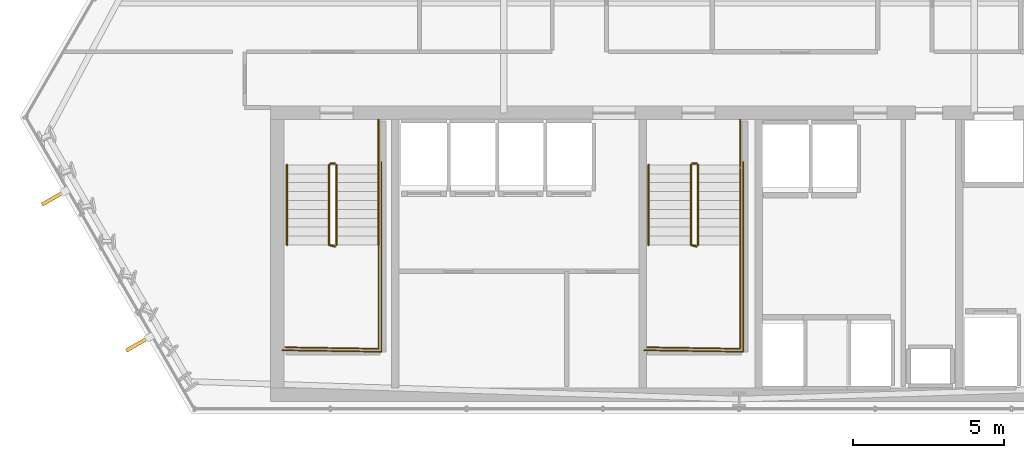
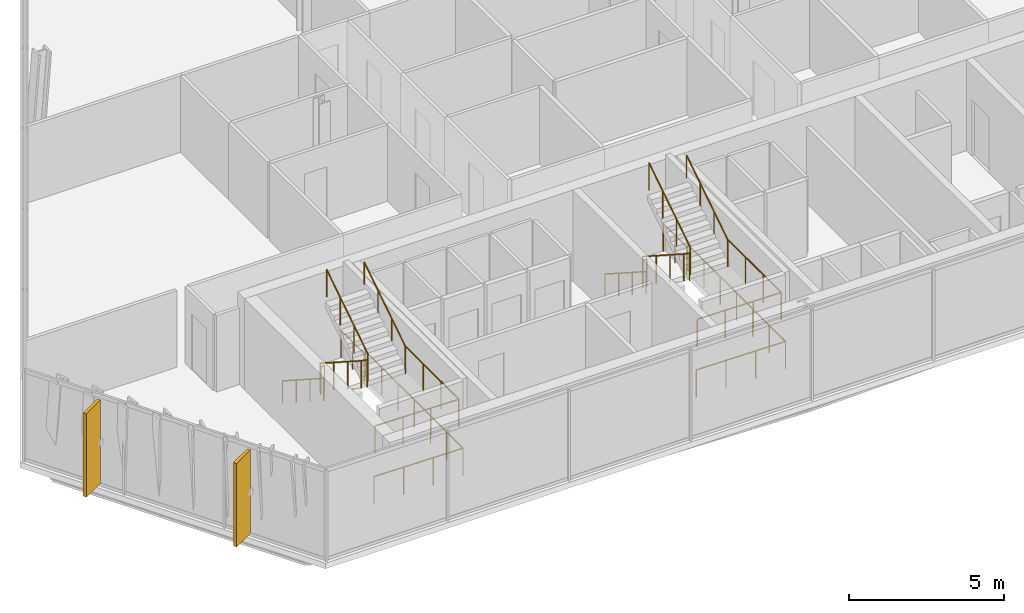
# One storey, part 29 of 32: 16 railings, 2 shading devices.
"""IFC4 building model written with IfcOpenShell, lengths in metres."""

from ifc_helpers import new_model, si_unit, direction, frame, origin, origin_2d, place, context, subcontext, project, spatial, rectangle, circle, extrude, material, layer, layer_set, type_object, element, save


model = new_model("IFC4")

# Units and contexts
model_context = context("Model", 3, precision=1e-05, world=origin(), true_north=direction((0.0, 1.0)))
body_context = subcontext(model_context, "Body", "Model", "MODEL_VIEW")
ifc_project = project(units=[si_unit("LENGTHUNIT", "METRE"), si_unit("AREAUNIT", "SQUARE_METRE"), si_unit("VOLUMEUNIT", "CUBIC_METRE"), si_unit("PLANEANGLEUNIT", "RADIAN"), si_unit("MASSUNIT", "GRAM", prefix="KILO")], contexts=[model_context])

# Site, building, storey
site_placement = place(None, origin())
site = spatial("IfcSite", under=ifc_project, at=site_placement, CompositionType="ELEMENT")
building_placement = place(site_placement, origin())
building = spatial("IfcBuilding", under=site, at=building_placement, Name="Ndaravel Arena Tower", CompositionType="ELEMENT")
storey_placement = place(building_placement, frame((0.0, 0.0, 157.39990234375)))
storey = spatial("IfcBuildingStorey", under=building, at=storey_placement, Name="L37", CompositionType="ELEMENT", Elevation=157.39990234375)

# Railings
ifc_material_1 = material(Name="Steel S355", Category="steel")
ifc_layer_1 = layer(ifc_material_1, 0.06005859375)
ifc_layer_set_1 = layer_set([ifc_layer_1], Name="Steel S355")
railing_type_1 = type_object("IfcRailingType", Name="RAIL-STAIR-GD1100", PredefinedType="GUARDRAIL", material=ifc_layer_set_1)
railing_1_placement = place(storey_placement, frame((28.39990234375, 13.25, 0.190185546875)))
element("IfcRailing", 1, at=railing_1_placement, inside=storey, type_object=railing_type_1, Name="L37 ST-1 stair guard 1", PredefinedType="GUARDRAIL", context=body_context, shape_type="SweptSolid", body=[
    extrude(circle(Radius=0.02392578125, at=origin_2d()), frame((0.0, 0.0, 1.076171875), z_axis=(0.0, -0.840723540582, 0.54146461409), x_axis=(1.0, 0.0, 0.0)), (0.0, 0.0, 1.0), 3.157958984375),
    extrude(circle(Radius=0.02392578125, at=origin_2d()), frame((0.0, -2.655029296875, 2.7861328125), z_axis=(0.967074537263, -0.25449329928, 0.0), x_axis=(0.25449329928, 0.967074537263, 0.0)), (0.0, 0.0, 1.0), 0.19677734375),
    extrude(circle(Radius=0.02099609375, at=origin_2d()), origin(), (0.0, 0.0, 1.0), 1.052001953125),
    extrude(circle(Radius=0.02099609375, at=origin_2d()), frame((0.0, -0.885009765625, 0.570068359375)), (0.0, 0.0, 1.0), 1.052001953125),
    extrude(circle(Radius=0.02099609375, at=origin_2d()), frame((0.0, -1.77001953125, 1.139892578125)), (0.0, 0.0, 1.0), 1.052001953125),
    extrude(circle(Radius=0.02099609375, at=origin_2d()), frame((0.0, -2.655029296875, 1.7099609375)), (0.0, 0.0, 1.0), 1.052001953125),
    extrude(circle(Radius=0.02099609375, at=origin_2d()), frame((0.190185546875, -2.705078125, 1.7099609375)), (0.0, 0.0, 1.0), 1.052001953125),
])
railing_2_placement = place(storey_placement, frame((30.0400390625, 10.594970703125, 1.900146484375)))
element("IfcRailing", 2, at=railing_2_placement, inside=storey, type_object=railing_type_1, Name="L37 ST-1 stair guard 2", PredefinedType="GUARDRAIL", context=body_context, shape_type="SweptSolid", body=[
    extrude(circle(Radius=0.02392578125, at=origin_2d()), frame((0.0, 0.0, 1.076171875), z_axis=(0.0, -1.0, 0.0), x_axis=(1.0, 0.0, 0.0)), (0.0, 0.0, 1.0), 3.445068359375),
    extrude(circle(Radius=0.02392578125, at=origin_2d()), frame((0.0, -3.445068359375, 1.076171875), z_axis=(-0.999868861343, 0.016194447071, 0.0), x_axis=(-0.016194447071, -0.999868861343, 0.0)), (0.0, 0.0, 1.0), 3.090576171875),
    extrude(circle(Radius=0.02099609375, at=origin_2d()), origin(), (0.0, 0.0, 1.0), 1.052001953125),
    extrude(circle(Radius=0.02099609375, at=origin_2d()), frame((0.0, -1.1484375, 0.0)), (0.0, 0.0, 1.0), 1.052001953125),
    extrude(circle(Radius=0.02099609375, at=origin_2d()), frame((0.0, -2.296630859375, 0.0)), (0.0, 0.0, 1.0), 1.052001953125),
    extrude(circle(Radius=0.02099609375, at=origin_2d()), frame((0.0, -3.445068359375, 0.0)), (0.0, 0.0, 1.0), 1.052001953125),
    extrude(circle(Radius=0.02099609375, at=origin_2d()), frame((-1.030029296875, -3.428466796875, 0.0)), (0.0, 0.0, 1.0), 1.052001953125),
    extrude(circle(Radius=0.02099609375, at=origin_2d()), frame((-2.06005859375, -3.41162109375, 0.0)), (0.0, 0.0, 1.0), 1.052001953125),
    extrude(circle(Radius=0.02099609375, at=origin_2d()), frame((-3.090087890625, -3.39501953125, 0.0)), (0.0, 0.0, 1.0), 1.052001953125),
])
railing_3_placement = place(storey_placement, frame((28.639892578125, 10.594970703125, 2.090087890625)))
element("IfcRailing", 3, at=railing_3_placement, inside=storey, type_object=railing_type_1, Name="L37 ST-1 stair guard 3", PredefinedType="GUARDRAIL", context=body_context, shape_type="SweptSolid", body=[
    extrude(circle(Radius=0.02392578125, at=origin_2d()), frame((0.0, 0.0, 1.076171875), z_axis=(0.0, 0.840723540582, 0.54146461409), x_axis=(-1.0, 0.0, 0.0)), (0.0, 0.0, 1.0), 3.157958984375),
    extrude(circle(Radius=0.02099609375, at=origin_2d()), origin(), (0.0, 0.0, 1.0), 1.052001953125),
    extrude(circle(Radius=0.02099609375, at=origin_2d()), frame((0.0, 0.885009765625, 0.570068359375)), (0.0, 0.0, 1.0), 1.052001953125),
    extrude(circle(Radius=0.02099609375, at=origin_2d()), frame((0.0, 1.77001953125, 1.139892578125)), (0.0, 0.0, 1.0), 1.052001953125),
    extrude(circle(Radius=0.02099609375, at=origin_2d()), frame((0.0, 2.655029296875, 1.7099609375)), (0.0, 0.0, 1.0), 1.052001953125),
])
railing_4_placement = place(storey_placement, frame((28.449951171875, 13.300048828125, 0.0)))
element("IfcRailing", 4, at=railing_4_placement, inside=storey, type_object=railing_type_1, Name="L37 ST-1 stair guard 4", PredefinedType="GUARDRAIL", context=body_context, shape_type="SweptSolid", body=[
    extrude(circle(Radius=0.02392578125, at=origin_2d()), frame((0.0, 0.0, 1.076171875), z_axis=(1.0, 0.0, 0.0), x_axis=(0.0, 1.0, 0.0)), (0.0, 0.0, 1.0), 0.14013671875),
    extrude(circle(Radius=0.02099609375, at=origin_2d()), origin(), (0.0, 0.0, 1.0), 1.052001953125),
    extrude(circle(Radius=0.02099609375, at=origin_2d()), frame((0.14013671875, 0.0, 0.0)), (0.0, 0.0, 1.0), 1.052001953125),
])
railing_5_placement = place(storey_placement, frame((30.0400390625, 14.75, 0.0)))
element("IfcRailing", 5, at=railing_5_placement, inside=storey, type_object=railing_type_1, Name="L37 ST-1 stair guard 5", PredefinedType="GUARDRAIL", context=body_context, shape_type="SweptSolid", body=[
    extrude(circle(Radius=0.02392578125, at=origin_2d()), frame((0.0, 0.0, 1.076171875), z_axis=(0.0, -1.0, 0.0), x_axis=(1.0, 0.0, 0.0)), (0.0, 0.0, 1.0), 1.5),
    extrude(circle(Radius=0.02099609375, at=origin_2d()), origin(), (0.0, 0.0, 1.0), 1.052001953125),
    extrude(circle(Radius=0.02099609375, at=origin_2d()), frame((0.0, -0.75, 0.0)), (0.0, 0.0, 1.0), 1.052001953125),
    extrude(circle(Radius=0.02099609375, at=origin_2d()), frame((0.0, -1.5, 0.0)), (0.0, 0.0, 1.0), 1.052001953125),
])
railing_6_placement = place(storey_placement, frame((30.139892578125, 13.35009765625, 0.0)))
element("IfcRailing", 6, at=railing_6_placement, inside=storey, type_object=railing_type_1, Name="L37 ST-1 stair guard 6", PredefinedType="GUARDRAIL", context=body_context, shape_type="SweptSolid", body=[
    extrude(circle(Radius=0.02392578125, at=origin_2d()), frame((0.0, 0.0, 1.076171875), z_axis=(0.0, -1.0, 0.0), x_axis=(1.0, 0.0, 0.0)), (0.0, 0.0, 1.0), 6.300048828125),
    extrude(circle(Radius=0.02392578125, at=origin_2d()), frame((0.0, -6.300048828125, 1.076171875), z_axis=(-0.999884296952, 0.015211597839, 0.0), x_axis=(-0.015211597839, -0.999884296952, 0.0)), (0.0, 0.0, 1.0), 3.290283203125),
    extrude(circle(Radius=0.02099609375, at=origin_2d()), origin(), (0.0, 0.0, 1.0), 1.052001953125),
    extrude(circle(Radius=0.02099609375, at=origin_2d()), frame((0.0, -1.050048828125, 0.0)), (0.0, 0.0, 1.0), 1.052001953125),
    extrude(circle(Radius=0.02099609375, at=origin_2d()), frame((0.0, -2.10009765625, 0.0)), (0.0, 0.0, 1.0), 1.052001953125),
    extrude(circle(Radius=0.02099609375, at=origin_2d()), frame((0.0, -3.14990234375, 0.0)), (0.0, 0.0, 1.0), 1.052001953125),
    extrude(circle(Radius=0.02099609375, at=origin_2d()), frame((0.0, -4.199951171875, 0.0)), (0.0, 0.0, 1.0), 1.052001953125),
    extrude(circle(Radius=0.02099609375, at=origin_2d()), frame((0.0, -5.25, 0.0)), (0.0, 0.0, 1.0), 1.052001953125),
    extrude(circle(Radius=0.02099609375, at=origin_2d()), frame((0.0, -6.300048828125, 0.0)), (0.0, 0.0, 1.0), 1.052001953125),
    extrude(circle(Radius=0.02099609375, at=origin_2d()), frame((-1.0966796875, -6.283447265625, 0.0)), (0.0, 0.0, 1.0), 1.052001953125),
    extrude(circle(Radius=0.02099609375, at=origin_2d()), frame((-2.193115234375, -6.2666015625, 0.0)), (0.0, 0.0, 1.0), 1.052001953125),
    extrude(circle(Radius=0.02099609375, at=origin_2d()), frame((-3.289794921875, -6.25, 0.0)), (0.0, 0.0, 1.0), 1.052001953125),
])
railing_7_placement = place(storey_placement, frame((40.39990234375, 13.25, 0.190185546875)))
element("IfcRailing", 7, at=railing_7_placement, inside=storey, type_object=railing_type_1, Name="L37 ST-2 stair guard 1", PredefinedType="GUARDRAIL", context=body_context, shape_type="SweptSolid", body=[
    extrude(circle(Radius=0.02392578125, at=origin_2d()), frame((0.0, 0.0, 1.076171875), z_axis=(0.0, -0.840723540582, 0.54146461409), x_axis=(1.0, 0.0, 0.0)), (0.0, 0.0, 1.0), 3.157958984375),
    extrude(circle(Radius=0.02392578125, at=origin_2d()), frame((0.0, -2.655029296875, 2.7861328125), z_axis=(0.967074537263, -0.25449329928, 0.0), x_axis=(0.25449329928, 0.967074537263, 0.0)), (0.0, 0.0, 1.0), 0.19677734375),
    extrude(circle(Radius=0.02099609375, at=origin_2d()), origin(), (0.0, 0.0, 1.0), 1.052001953125),
    extrude(circle(Radius=0.02099609375, at=origin_2d()), frame((0.0, -0.885009765625, 0.570068359375)), (0.0, 0.0, 1.0), 1.052001953125),
    extrude(circle(Radius=0.02099609375, at=origin_2d()), frame((0.0, -1.77001953125, 1.139892578125)), (0.0, 0.0, 1.0), 1.052001953125),
    extrude(circle(Radius=0.02099609375, at=origin_2d()), frame((0.0, -2.655029296875, 1.7099609375)), (0.0, 0.0, 1.0), 1.052001953125),
    extrude(circle(Radius=0.02099609375, at=origin_2d()), frame((0.190185546875, -2.705078125, 1.7099609375)), (0.0, 0.0, 1.0), 1.052001953125),
])
railing_8_placement = place(storey_placement, frame((42.0400390625, 10.594970703125, 1.900146484375)))
element("IfcRailing", 8, at=railing_8_placement, inside=storey, type_object=railing_type_1, Name="L37 ST-2 stair guard 2", PredefinedType="GUARDRAIL", context=body_context, shape_type="SweptSolid", body=[
    extrude(circle(Radius=0.02392578125, at=origin_2d()), frame((0.0, 0.0, 1.076171875), z_axis=(0.0, -1.0, 0.0), x_axis=(1.0, 0.0, 0.0)), (0.0, 0.0, 1.0), 3.445068359375),
    extrude(circle(Radius=0.02392578125, at=origin_2d()), frame((0.0, -3.445068359375, 1.076171875), z_axis=(-0.999868861343, 0.016194447071, 0.0), x_axis=(-0.016194447071, -0.999868861343, 0.0)), (0.0, 0.0, 1.0), 3.090576171875),
    extrude(circle(Radius=0.02099609375, at=origin_2d()), origin(), (0.0, 0.0, 1.0), 1.052001953125),
    extrude(circle(Radius=0.02099609375, at=origin_2d()), frame((0.0, -1.1484375, 0.0)), (0.0, 0.0, 1.0), 1.052001953125),
    extrude(circle(Radius=0.02099609375, at=origin_2d()), frame((0.0, -2.296630859375, 0.0)), (0.0, 0.0, 1.0), 1.052001953125),
    extrude(circle(Radius=0.02099609375, at=origin_2d()), frame((0.0, -3.445068359375, 0.0)), (0.0, 0.0, 1.0), 1.052001953125),
    extrude(circle(Radius=0.02099609375, at=origin_2d()), frame((-1.030029296875, -3.428466796875, 0.0)), (0.0, 0.0, 1.0), 1.052001953125),
    extrude(circle(Radius=0.02099609375, at=origin_2d()), frame((-2.06005859375, -3.41162109375, 0.0)), (0.0, 0.0, 1.0), 1.052001953125),
    extrude(circle(Radius=0.02099609375, at=origin_2d()), frame((-3.090087890625, -3.39501953125, 0.0)), (0.0, 0.0, 1.0), 1.052001953125),
])
railing_9_placement = place(storey_placement, frame((40.639892578125, 10.594970703125, 2.090087890625)))
element("IfcRailing", 9, at=railing_9_placement, inside=storey, type_object=railing_type_1, Name="L37 ST-2 stair guard 3", PredefinedType="GUARDRAIL", context=body_context, shape_type="SweptSolid", body=[
    extrude(circle(Radius=0.02392578125, at=origin_2d()), frame((0.0, 0.0, 1.076171875), z_axis=(0.0, 0.840723540582, 0.54146461409), x_axis=(-1.0, 0.0, 0.0)), (0.0, 0.0, 1.0), 3.157958984375),
    extrude(circle(Radius=0.02099609375, at=origin_2d()), origin(), (0.0, 0.0, 1.0), 1.052001953125),
    extrude(circle(Radius=0.02099609375, at=origin_2d()), frame((0.0, 0.885009765625, 0.570068359375)), (0.0, 0.0, 1.0), 1.052001953125),
    extrude(circle(Radius=0.02099609375, at=origin_2d()), frame((0.0, 1.77001953125, 1.139892578125)), (0.0, 0.0, 1.0), 1.052001953125),
    extrude(circle(Radius=0.02099609375, at=origin_2d()), frame((0.0, 2.655029296875, 1.7099609375)), (0.0, 0.0, 1.0), 1.052001953125),
])
railing_10_placement = place(storey_placement, frame((40.449951171875, 13.300048828125, 0.0)))
element("IfcRailing", 10, at=railing_10_placement, inside=storey, type_object=railing_type_1, Name="L37 ST-2 stair guard 4", PredefinedType="GUARDRAIL", context=body_context, shape_type="SweptSolid", body=[
    extrude(circle(Radius=0.02392578125, at=origin_2d()), frame((0.0, 0.0, 1.076171875), z_axis=(1.0, 0.0, 0.0), x_axis=(0.0, 1.0, 0.0)), (0.0, 0.0, 1.0), 0.14013671875),
    extrude(circle(Radius=0.02099609375, at=origin_2d()), origin(), (0.0, 0.0, 1.0), 1.052001953125),
    extrude(circle(Radius=0.02099609375, at=origin_2d()), frame((0.14013671875, 0.0, 0.0)), (0.0, 0.0, 1.0), 1.052001953125),
])
railing_11_placement = place(storey_placement, frame((42.0400390625, 14.75, 0.0)))
element("IfcRailing", 11, at=railing_11_placement, inside=storey, type_object=railing_type_1, Name="L37 ST-2 stair guard 5", PredefinedType="GUARDRAIL", context=body_context, shape_type="SweptSolid", body=[
    extrude(circle(Radius=0.02392578125, at=origin_2d()), frame((0.0, 0.0, 1.076171875), z_axis=(0.0, -1.0, 0.0), x_axis=(1.0, 0.0, 0.0)), (0.0, 0.0, 1.0), 1.5),
    extrude(circle(Radius=0.02099609375, at=origin_2d()), origin(), (0.0, 0.0, 1.0), 1.052001953125),
    extrude(circle(Radius=0.02099609375, at=origin_2d()), frame((0.0, -0.75, 0.0)), (0.0, 0.0, 1.0), 1.052001953125),
    extrude(circle(Radius=0.02099609375, at=origin_2d()), frame((0.0, -1.5, 0.0)), (0.0, 0.0, 1.0), 1.052001953125),
])
railing_12_placement = place(storey_placement, frame((42.139892578125, 13.35009765625, 0.0)))
element("IfcRailing", 12, at=railing_12_placement, inside=storey, type_object=railing_type_1, Name="L37 ST-2 stair guard 6", PredefinedType="GUARDRAIL", context=body_context, shape_type="SweptSolid", body=[
    extrude(circle(Radius=0.02392578125, at=origin_2d()), frame((0.0, 0.0, 1.076171875), z_axis=(0.0, -1.0, 0.0), x_axis=(1.0, 0.0, 0.0)), (0.0, 0.0, 1.0), 6.300048828125),
    extrude(circle(Radius=0.02392578125, at=origin_2d()), frame((0.0, -6.300048828125, 1.076171875), z_axis=(-0.999884296952, 0.015211597839, 0.0), x_axis=(-0.015211597839, -0.999884296952, 0.0)), (0.0, 0.0, 1.0), 3.290283203125),
    extrude(circle(Radius=0.02099609375, at=origin_2d()), origin(), (0.0, 0.0, 1.0), 1.052001953125),
    extrude(circle(Radius=0.02099609375, at=origin_2d()), frame((0.0, -1.050048828125, 0.0)), (0.0, 0.0, 1.0), 1.052001953125),
    extrude(circle(Radius=0.02099609375, at=origin_2d()), frame((0.0, -2.10009765625, 0.0)), (0.0, 0.0, 1.0), 1.052001953125),
    extrude(circle(Radius=0.02099609375, at=origin_2d()), frame((0.0, -3.14990234375, 0.0)), (0.0, 0.0, 1.0), 1.052001953125),
    extrude(circle(Radius=0.02099609375, at=origin_2d()), frame((0.0, -4.199951171875, 0.0)), (0.0, 0.0, 1.0), 1.052001953125),
    extrude(circle(Radius=0.02099609375, at=origin_2d()), frame((0.0, -5.25, 0.0)), (0.0, 0.0, 1.0), 1.052001953125),
    extrude(circle(Radius=0.02099609375, at=origin_2d()), frame((0.0, -6.300048828125, 0.0)), (0.0, 0.0, 1.0), 1.052001953125),
    extrude(circle(Radius=0.02099609375, at=origin_2d()), frame((-1.0966796875, -6.283447265625, 0.0)), (0.0, 0.0, 1.0), 1.052001953125),
    extrude(circle(Radius=0.02099609375, at=origin_2d()), frame((-2.193115234375, -6.2666015625, 0.0)), (0.0, 0.0, 1.0), 1.052001953125),
    extrude(circle(Radius=0.02099609375, at=origin_2d()), frame((-3.289794921875, -6.25, 0.0)), (0.0, 0.0, 1.0), 1.052001953125),
])
ifc_material_2 = material(Name="Steel S355", Category="steel")
ifc_layer_2 = layer(ifc_material_2, 0.050048828125)
ifc_layer_set_2 = layer_set([ifc_layer_2], Name="Steel S355")
railing_type_2 = type_object("IfcRailingType", Name="RAIL-STAIR-HR920", PredefinedType="HANDRAIL", material=ifc_layer_set_2)
railing_13_placement = place(storey_placement, frame((27.0, 13.25, 0.190185546875)))
element("IfcRailing", 13, at=railing_13_placement, inside=storey, type_object=railing_type_2, Name="L37 ST-1 stair handrail 1", PredefinedType="HANDRAIL", context=body_context, shape_type="SweptSolid", body=[
    extrude(circle(Radius=0.02392578125, at=origin_2d()), frame((0.0, 0.0, 0.8759765625), z_axis=(0.0, -0.840723540582, 0.54146461409), x_axis=(1.0, 0.0, 0.0)), (0.0, 0.0, 1.0), 3.157958984375),
    extrude(circle(Radius=0.02099609375, at=origin_2d()), origin(), (0.0, 0.0, 1.0), 0.851806640625),
    extrude(circle(Radius=0.02099609375, at=origin_2d()), frame((0.0, -0.885009765625, 0.570068359375)), (0.0, 0.0, 1.0), 0.851806640625),
    extrude(circle(Radius=0.02099609375, at=origin_2d()), frame((0.0, -1.77001953125, 1.139892578125)), (0.0, 0.0, 1.0), 0.851806640625),
    extrude(circle(Radius=0.02099609375, at=origin_2d()), frame((0.0, -2.655029296875, 1.7099609375)), (0.0, 0.0, 1.0), 0.851806640625),
])
railing_14_placement = place(storey_placement, frame((30.0400390625, 10.594970703125, 2.090087890625)))
element("IfcRailing", 14, at=railing_14_placement, inside=storey, type_object=railing_type_2, Name="L37 ST-1 stair handrail 2", PredefinedType="HANDRAIL", context=body_context, shape_type="SweptSolid", body=[
    extrude(circle(Radius=0.02392578125, at=origin_2d()), frame((0.0, 0.0, 0.8759765625), z_axis=(0.0, 0.840723540582, 0.54146461409), x_axis=(-1.0, 0.0, 0.0)), (0.0, 0.0, 1.0), 3.157958984375),
    extrude(circle(Radius=0.02099609375, at=origin_2d()), origin(), (0.0, 0.0, 1.0), 0.851806640625),
    extrude(circle(Radius=0.02099609375, at=origin_2d()), frame((0.0, 0.885009765625, 0.570068359375)), (0.0, 0.0, 1.0), 0.851806640625),
    extrude(circle(Radius=0.02099609375, at=origin_2d()), frame((0.0, 1.77001953125, 1.139892578125)), (0.0, 0.0, 1.0), 0.851806640625),
    extrude(circle(Radius=0.02099609375, at=origin_2d()), frame((0.0, 2.655029296875, 1.7099609375)), (0.0, 0.0, 1.0), 0.851806640625),
])
railing_15_placement = place(storey_placement, frame((39.0, 13.25, 0.190185546875)))
element("IfcRailing", 15, at=railing_15_placement, inside=storey, type_object=railing_type_2, Name="L37 ST-2 stair handrail 1", PredefinedType="HANDRAIL", context=body_context, shape_type="SweptSolid", body=[
    extrude(circle(Radius=0.02392578125, at=origin_2d()), frame((0.0, 0.0, 0.8759765625), z_axis=(0.0, -0.840723540582, 0.54146461409), x_axis=(1.0, 0.0, 0.0)), (0.0, 0.0, 1.0), 3.157958984375),
    extrude(circle(Radius=0.02099609375, at=origin_2d()), origin(), (0.0, 0.0, 1.0), 0.851806640625),
    extrude(circle(Radius=0.02099609375, at=origin_2d()), frame((0.0, -0.885009765625, 0.570068359375)), (0.0, 0.0, 1.0), 0.851806640625),
    extrude(circle(Radius=0.02099609375, at=origin_2d()), frame((0.0, -1.77001953125, 1.139892578125)), (0.0, 0.0, 1.0), 0.851806640625),
    extrude(circle(Radius=0.02099609375, at=origin_2d()), frame((0.0, -2.655029296875, 1.7099609375)), (0.0, 0.0, 1.0), 0.851806640625),
])
railing_16_placement = place(storey_placement, frame((42.0400390625, 10.594970703125, 2.090087890625)))
element("IfcRailing", 16, at=railing_16_placement, inside=storey, type_object=railing_type_2, Name="L37 ST-2 stair handrail 2", PredefinedType="HANDRAIL", context=body_context, shape_type="SweptSolid", body=[
    extrude(circle(Radius=0.02392578125, at=origin_2d()), frame((0.0, 0.0, 0.8759765625), z_axis=(0.0, 0.840723540582, 0.54146461409), x_axis=(-1.0, 0.0, 0.0)), (0.0, 0.0, 1.0), 3.157958984375),
    extrude(circle(Radius=0.02099609375, at=origin_2d()), origin(), (0.0, 0.0, 1.0), 0.851806640625),
    extrude(circle(Radius=0.02099609375, at=origin_2d()), frame((0.0, 0.885009765625, 0.570068359375)), (0.0, 0.0, 1.0), 0.851806640625),
    extrude(circle(Radius=0.02099609375, at=origin_2d()), frame((0.0, 1.77001953125, 1.139892578125)), (0.0, 0.0, 1.0), 0.851806640625),
    extrude(circle(Radius=0.02099609375, at=origin_2d()), frame((0.0, 2.655029296875, 1.7099609375)), (0.0, 0.0, 1.0), 0.851806640625),
])

# Shading devices
ifc_material_3 = material(Name="Masonry", Category="masonry")
shading_device_type = type_object("IfcShadingDeviceType", Name="SHD-MAZERAS-FIN", PredefinedType="SHUTTER", material=ifc_material_3)
for number, where, z_axis, x_axis, name in (
    (17, (19.267822265625, 12.156982421875, 0.14990234375), (0.0, 0.0, 1.0), (-0.866025403784, -0.5, 0.0), "L37 Mazeras Stone Solar Fin E6.1"),
    (18, (22.063720703125, 7.314208984375, 0.14990234375), (0.0, 0.0, 1.0), (-0.866025403784, -0.5, 0.0), "L37 Mazeras Stone Solar Fin E6.2"),
):
    element("IfcShadingDevice", number, at=place(storey_placement, frame(where, z_axis=z_axis, x_axis=x_axis)), inside=storey, type_object=shading_device_type, Name=name, PredefinedType="SHUTTER", context=body_context, shape_type="SweptSolid", body=[
        extrude(rectangle(XDim=0.89990234375, YDim=0.1201171875, at=origin_2d()), origin(), (0.0, 0.0, 1.0), 3.280029296875),
    ])

save(model, "model.ifc")
